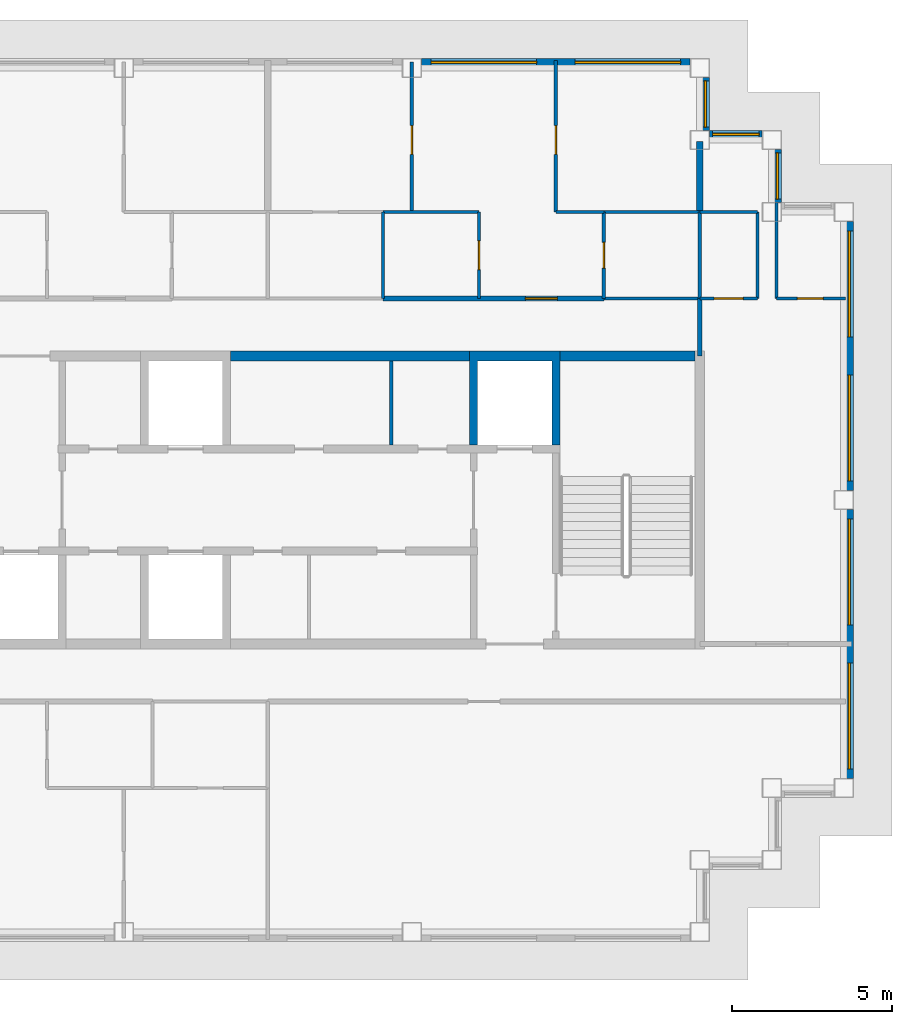
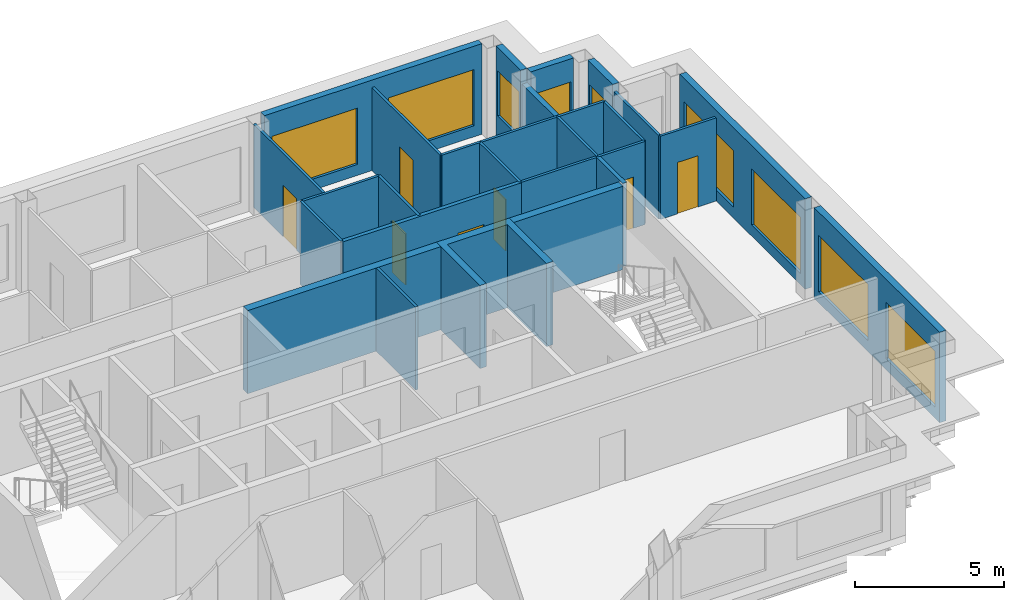
# One storey, part 6 of 12: 28 walls, 9 windows, 7 doors, 16 openings.
"""IFC4 building model written with IfcOpenShell, lengths in metres."""

from ifc_helpers import new_model, si_unit, direction, frame, frame_2d, origin, place, context, subcontext, project, spatial, polyline, rectangle, outline, extrude, material, layer, layer_set, type_object, element, fill, save


model = new_model("IFC4")

# Units and contexts
model_context = context("Model", 3, precision=1e-05, world=origin(), true_north=direction((0.0, 1.0)))
body_context = subcontext(model_context, "Body", "Model", "MODEL_VIEW")
ifc_project = project(units=[si_unit("LENGTHUNIT", "METRE"), si_unit("AREAUNIT", "SQUARE_METRE"), si_unit("VOLUMEUNIT", "CUBIC_METRE"), si_unit("PLANEANGLEUNIT", "RADIAN"), si_unit("MASSUNIT", "GRAM", prefix="KILO")], contexts=[model_context])

# Site, building, storey
site_placement = place(None, origin())
site = spatial("IfcSite", under=ifc_project, at=site_placement, CompositionType="ELEMENT")
building_placement = place(site_placement, origin())
building = spatial("IfcBuilding", under=site, at=building_placement, Name="Caravel Reach Hotel and Residences", CompositionType="ELEMENT")
storey_placement = place(building_placement, frame((0.0, 0.0, 241.60009765625)))
storey = spatial("IfcBuildingStorey", under=building, at=storey_placement, Name="L61", CompositionType="ELEMENT", Elevation=241.60009765625)

# Wall
ifc_material_1 = material(Name="Gypsum board on steel stud", Category="steel")
ifc_layer_1 = layer(ifc_material_1, 0.10009765625)
ifc_layer_set_1 = layer_set([ifc_layer_1], Name="Bathroom pod wall 100 mm")
wall_type_1 = type_object("IfcWallType", Name="Bathroom pod wall 100 mm", PredefinedType="PARTITIONING", material=ifc_layer_set_1)
wall_1_placement = place(storey_placement, frame((42.0, 33.300048828125, 0.0), z_axis=(0.0, 0.0, 1.0), x_axis=(1.0, 0.0, 0.0)))
element("IfcWall", 1, at=wall_1_placement, inside=storey, type_object=wall_type_1, Name="L61 wall w059", PredefinedType="PARTITIONING", context=body_context, shape_type="SweptSolid", body=[
    extrude(rectangle(XDim=3.0, YDim=0.10009765625, at=frame_2d((1.5, 0.0))), origin(), (0.0, 0.0, 1.0), 3.39990234375),
])

# Wall, opening, door
wall_2_placement = place(storey_placement, frame((47.39990234375, 33.300048828125, 0.0), z_axis=(0.0, 0.0, 1.0), x_axis=(1.0, 0.0, 0.0)))
wall_2 = element("IfcWall", 2, at=wall_2_placement, inside=storey, type_object=wall_type_1, Name="L61 wall w061", PredefinedType="PARTITIONING", context=body_context, shape_type="SweptSolid", body=[
    extrude(rectangle(XDim=2.150146484375, YDim=0.10009765625, at=frame_2d((1.0751953125, 0.0))), origin(), (0.0, 0.0, 1.0), 3.39990234375),
])
opening_1_placement = place(wall_2_placement, frame((0.64990234375, 0.0, 0.0)))
opening_1 = element("IfcOpeningElement", 3, at=opening_1_placement, cuts=wall_2, Name="Opening D61-042", PredefinedType="OPENING", context=body_context, shape_type="SweptSolid", body=[
    extrude(rectangle(XDim=0.800048828125, YDim=2.10009765625, at=frame_2d((0.39990234375, 1.050048828125))), frame((0.0, 0.06005859375, 0.0), z_axis=(0.0, -1.0, 0.0), x_axis=(1.0, 0.0, 0.0)), (0.0, 0.0, 1.0), 0.1201171875),
])
ifc_material_2 = material(Name="Timber and steel door leaf", Category="steel")
door_type_1 = type_object("IfcDoorType", Name="Bathroom door 800 x 2100", OperationType="SINGLE_SWING_LEFT", PredefinedType="DOOR", material=ifc_material_2)
door_1_placement = place(opening_1_placement, origin())
door_1 = element("IfcDoor", 4, at=door_1_placement, inside=storey, type_object=door_type_1, Name="door D61-042", OperationType="SINGLE_SWING_RIGHT", OverallHeight=2.10009765625, OverallWidth=0.800048828125, PredefinedType="DOOR", context=body_context, shape_type="SweptSolid", body=[
    extrude(rectangle(XDim=0.800048828125, YDim=2.10009765625, at=frame_2d((0.39990234375, 1.050048828125))), frame((0.0, 0.02490234375, 0.0), z_axis=(0.0, -1.0, 0.0), x_axis=(1.0, 0.0, 0.0)), (0.0, 0.0, 1.0), 0.050048828125),
])
fill(opening_1, door_1)

# Walls
wall_3_placement = place(storey_placement, frame((42.0, 36.0, 0.0), z_axis=(0.0, 0.0, 1.0), x_axis=(1.0, 0.0, 0.0)))
element("IfcWall", 5, at=wall_3_placement, inside=storey, type_object=wall_type_1, Name="L61 wall w064", PredefinedType="PARTITIONING", context=body_context, shape_type="SweptSolid", body=[
    extrude(rectangle(XDim=3.0, YDim=0.10009765625, at=frame_2d((1.5, 0.0))), origin(), (0.0, 0.0, 1.0), 3.39990234375),
])
wall_4_placement = place(storey_placement, frame((35.10009765625, 33.300048828125, 0.0), z_axis=(0.0, 0.0, 1.0), x_axis=(0.0, 1.0, 0.0)))
element("IfcWall", 6, at=wall_4_placement, inside=storey, type_object=wall_type_1, Name="L61 wall w074", PredefinedType="PARTITIONING", context=body_context, shape_type="SweptSolid", body=[
    extrude(rectangle(XDim=2.699951171875, YDim=0.10009765625, at=frame_2d((1.35009765625, 0.0))), origin(), (0.0, 0.0, 1.0), 3.39990234375),
])

# Wall, opening, door
wall_5_placement = place(storey_placement, frame((42.0, 33.300048828125, 0.0), z_axis=(0.0, 0.0, 1.0), x_axis=(0.0, 1.0, 0.0)))
wall_5 = element("IfcWall", 7, at=wall_5_placement, inside=storey, type_object=wall_type_1, Name="L61 wall w076", PredefinedType="PARTITIONING", context=body_context, shape_type="SweptSolid", body=[
    extrude(rectangle(XDim=2.699951171875, YDim=0.10009765625, at=frame_2d((1.35009765625, 0.0))), origin(), (0.0, 0.0, 1.0), 3.39990234375),
])
opening_2_placement = place(wall_5_placement, frame((0.949951171875, 0.0, 0.0)))
opening_2 = element("IfcOpeningElement", 8, at=opening_2_placement, cuts=wall_5, Name="Opening D61-026", PredefinedType="OPENING", context=body_context, shape_type="SweptSolid", body=[
    extrude(rectangle(XDim=0.800048828125, YDim=2.10009765625, at=frame_2d((0.39990234375, 1.050048828125))), frame((0.0, 0.06005859375, 0.0), z_axis=(0.0, -1.0, 0.0), x_axis=(1.0, 0.0, 0.0)), (0.0, 0.0, 1.0), 0.1201171875),
])
door_2_placement = place(opening_2_placement, origin())
door_2 = element("IfcDoor", 9, at=door_2_placement, inside=storey, type_object=door_type_1, Name="door D61-026", OperationType="SINGLE_SWING_LEFT", OverallHeight=2.10009765625, OverallWidth=0.800048828125, PredefinedType="DOOR", context=body_context, shape_type="SweptSolid", body=[
    extrude(rectangle(XDim=0.800048828125, YDim=2.10009765625, at=frame_2d((0.39990234375, 1.050048828125))), frame((0.0, 0.02490234375, 0.0), z_axis=(0.0, -1.0, 0.0), x_axis=(1.0, 0.0, 0.0)), (0.0, 0.0, 1.0), 0.050048828125),
])
fill(opening_2, door_2)

# Walls
wall_6_placement = place(storey_placement, frame((45.0, 33.300048828125, 0.0), z_axis=(0.0, 0.0, 1.0), x_axis=(0.0, 1.0, 0.0)))
element("IfcWall", 10, at=wall_6_placement, inside=storey, type_object=wall_type_1, Name="L61 wall w077", PredefinedType="PARTITIONING", context=body_context, shape_type="SweptSolid", body=[
    extrude(rectangle(XDim=2.699951171875, YDim=0.10009765625, at=frame_2d((1.35009765625, 0.0))), origin(), (0.0, 0.0, 1.0), 3.39990234375),
])
wall_7_placement = place(storey_placement, frame((47.39990234375, 33.300048828125, 0.0), z_axis=(0.0, 0.0, 1.0), x_axis=(0.0, 1.0, 0.0)))
element("IfcWall", 11, at=wall_7_placement, inside=storey, type_object=wall_type_1, Name="L61 wall w078", PredefinedType="PARTITIONING", context=body_context, shape_type="SweptSolid", body=[
    extrude(rectangle(XDim=3.0, YDim=0.10009765625, at=frame_2d((1.5, 0.0))), origin(), (0.0, 0.0, 1.0), 3.39990234375),
])
ifc_material_3 = material(Name="Concrete C60", Category="concrete")
ifc_layer_2 = layer(ifc_material_3, 0.300048828125)
ifc_layer_set_2 = layer_set([ifc_layer_2], Name="Core wall 300 mm EI 120")
wall_type_2 = type_object("IfcWallType", Name="Core wall 300 mm EI 120", PredefinedType="SHEAR", material=ifc_layer_set_2)
wall_8_placement = place(storey_placement, frame((30.33935546875, 31.5, 0.0), z_axis=(0.0, 0.0, 1.0), x_axis=(1.0, 0.0, 0.0)))
element("IfcWall", 12, at=wall_8_placement, inside=storey, type_object=wall_type_2, Name="L61 core wall N2", PredefinedType="SHEAR", context=body_context, shape_type="SweptSolid", body=[
    extrude(rectangle(XDim=7.464111328125, YDim=0.300048828125, at=frame_2d((3.73193359375, 0.0))), origin(), (0.0, 0.0, 1.0), 3.39990234375),
])
wall_9_placement = place(storey_placement, frame((40.625, 31.5, 0.0), z_axis=(0.0, 0.0, 1.0), x_axis=(1.0, 0.0, 0.0)))
element("IfcWall", 13, at=wall_9_placement, inside=storey, type_object=wall_type_2, Name="L61 core wall N3", PredefinedType="SHEAR", context=body_context, shape_type="SweptSolid", body=[
    extrude(rectangle(XDim=4.22509765625, YDim=0.300048828125, at=frame_2d((2.112548828125, 0.0))), origin(), (0.0, 0.0, 1.0), 3.39990234375),
])

# Wall, opening, door
ifc_material_4 = material(Name="Gypsum board on steel stud, fire-rated", Category="steel")
ifc_layer_3 = layer(ifc_material_4, 0.14990234375)
ifc_layer_set_3 = layer_set([ifc_layer_3], Name="Corridor wall 150 mm EI 60")
wall_type_3 = type_object("IfcWallType", Name="Corridor wall 150 mm EI 60", PredefinedType="PARTITIONING", material=ifc_layer_set_3)
wall_10_placement = place(storey_placement, frame((35.10009765625, 33.300048828125, 0.0), z_axis=(0.0, 0.0, 1.0), x_axis=(1.0, 0.0, 0.0)))
wall_10 = element("IfcWall", 14, at=wall_10_placement, inside=storey, type_object=wall_type_3, Name="L61 wall w013", PredefinedType="PARTITIONING", context=body_context, shape_type="SweptSolid", body=[
    extrude(rectangle(XDim=6.89990234375, YDim=0.14990234375, at=frame_2d((3.449951171875, 0.0))), origin(), (0.0, 0.0, 1.0), 3.39990234375),
])
opening_3_placement = place(wall_10_placement, frame((4.449951171875, 0.0, 0.0)))
opening_3 = element("IfcOpeningElement", 15, at=opening_3_placement, cuts=wall_10, Name="Opening D61-023", PredefinedType="OPENING", context=body_context, shape_type="SweptSolid", body=[
    extrude(rectangle(XDim=1.0, YDim=2.199951171875, at=frame_2d((0.5, 1.10009765625))), frame((0.0, 0.0849609375, 0.0), z_axis=(0.0, -1.0, 0.0), x_axis=(1.0, 0.0, 0.0)), (0.0, 0.0, 1.0), 0.169921875),
])
ifc_material_5 = material(Name="Steel fire door leaf", Category="steel")
door_type_2 = type_object("IfcDoorType", Name="Flat entrance door 1000 x 2200 EI 60", OperationType="SINGLE_SWING_LEFT", PredefinedType="DOOR", material=ifc_material_5)
door_3_placement = place(opening_3_placement, origin())
door_3 = element("IfcDoor", 16, at=door_3_placement, inside=storey, type_object=door_type_2, Name="door D61-023", OperationType="SINGLE_SWING_LEFT", OverallHeight=2.199951171875, OverallWidth=1.0, PredefinedType="DOOR", context=body_context, shape_type="SweptSolid", body=[
    extrude(rectangle(XDim=1.0, YDim=2.199951171875, at=frame_2d((0.5, 1.10009765625))), frame((0.0, 0.02490234375, 0.0), z_axis=(0.0, -1.0, 0.0), x_axis=(1.0, 0.0, 0.0)), (0.0, 0.0, 1.0), 0.050048828125),
])
fill(opening_3, door_3)

# Wall
wall_11_placement = place(storey_placement, frame((45.0, 31.5, 0.0), z_axis=(0.0, 0.0, 1.0), x_axis=(0.0, 1.0, 0.0)))
element("IfcWall", 17, at=wall_11_placement, inside=storey, type_object=wall_type_3, Name="L61 wall w018", PredefinedType="PARTITIONING", context=body_context, shape_type="SweptSolid", body=[
    extrude(rectangle(XDim=1.800048828125, YDim=0.14990234375, at=frame_2d((0.89990234375, 0.0))), origin(), (0.0, 0.0, 1.0), 3.39990234375),
])

# Wall, openings, windows
ifc_material_6 = material(Name="Insulated rainscreen wall, aluminium cladding", Category="aluminium")
ifc_layer_4 = layer(ifc_material_6, 0.25)
ifc_layer_set_4 = layer_set([ifc_layer_4], Name="EW1 Tower rainscreen wall")
wall_type_4 = type_object("IfcWallType", Name="EW1 Tower rainscreen wall", PredefinedType="SOLIDWALL", material=ifc_layer_set_4)
wall_12_placement = place(storey_placement, frame((49.675048828125, 18.300048828125, 0.0), z_axis=(0.0, 0.0, 1.0), x_axis=(0.0, 1.0, 0.0)))
wall_12 = element("IfcWall", 18, at=wall_12_placement, inside=storey, type_object=wall_type_4, Name="External wall L61 E9.1", PredefinedType="SOLIDWALL", context=body_context, shape_type="SweptSolid", body=[
    extrude(rectangle(XDim=8.39990234375, YDim=0.25, at=frame_2d((4.199951171875, 0.0))), origin(), (0.0, 0.0, 1.0), 3.699951171875),
])
opening_4_placement = place(wall_12_placement, frame((0.300048828125, 0.0, 0.449951171875)))
opening_4 = element("IfcOpeningElement", 19, at=opening_4_placement, cuts=wall_12, Name="Opening WN15", PredefinedType="OPENING", context=body_context, shape_type="SweptSolid", body=[
    extrude(rectangle(XDim=3.300048828125, YDim=2.300048828125, at=frame_2d((1.64990234375, 1.14990234375))), frame((0.0, 0.135009765625, 0.0), z_axis=(0.0, -1.0, 0.0), x_axis=(1.0, 0.0, 0.0)), (0.0, 0.0, 1.0), 0.27001953125),
])
opening_5_placement = place(wall_12_placement, frame((4.800048828125, 0.0, 0.449951171875)))
opening_5 = element("IfcOpeningElement", 20, at=opening_5_placement, cuts=wall_12, Name="Opening WN15", PredefinedType="OPENING", context=body_context, shape_type="SweptSolid", body=[
    extrude(rectangle(XDim=3.300048828125, YDim=2.300048828125, at=frame_2d((1.64990234375, 1.14990234375))), frame((0.0, 0.135009765625, 0.0), z_axis=(0.0, -1.0, 0.0), x_axis=(1.0, 0.0, 0.0)), (0.0, 0.0, 1.0), 0.27001953125),
])
ifc_material_7 = material(Name="Dark low-e glazing in black aluminium frame", Category="aluminium")
window_type_1 = type_object("IfcWindowType", Name="Residence living window 3300 x 2300", PartitioningType="SINGLE_PANEL", PredefinedType="WINDOW", material=ifc_material_7)
window_1_placement = place(opening_4_placement, origin())
window_1 = element("IfcWindow", 21, at=window_1_placement, inside=storey, type_object=window_type_1, Name="Window L61 E9.1.1", OverallHeight=2.300048828125, OverallWidth=3.300048828125, PartitioningType="SINGLE_PANEL", PredefinedType="WINDOW", context=body_context, shape_type="SweptSolid", body=[
    extrude(rectangle(XDim=3.300048828125, YDim=2.300048828125, at=frame_2d((1.64990234375, 1.14990234375))), frame((0.0, 0.030029296875, 0.0), z_axis=(0.0, -1.0, 0.0), x_axis=(1.0, 0.0, 0.0)), (0.0, 0.0, 1.0), 0.06005859375),
])
fill(opening_4, window_1)
window_2_placement = place(opening_5_placement, origin())
window_2 = element("IfcWindow", 22, at=window_2_placement, inside=storey, type_object=window_type_1, Name="Window L61 E9.1.2", OverallHeight=2.300048828125, OverallWidth=3.300048828125, PartitioningType="SINGLE_PANEL", PredefinedType="WINDOW", context=body_context, shape_type="SweptSolid", body=[
    extrude(rectangle(XDim=3.300048828125, YDim=2.300048828125, at=frame_2d((1.64990234375, 1.14990234375))), frame((0.0, 0.030029296875, 0.0), z_axis=(0.0, -1.0, 0.0), x_axis=(1.0, 0.0, 0.0)), (0.0, 0.0, 1.0), 0.06005859375),
])
fill(opening_5, window_2)

wall_13_placement = place(storey_placement, frame((49.675048828125, 27.300048828125, 0.0), z_axis=(0.0, 0.0, 1.0), x_axis=(0.0, 1.0, 0.0)))
wall_13 = element("IfcWall", 23, at=wall_13_placement, inside=storey, type_object=wall_type_4, Name="External wall L61 E9.2", PredefinedType="SOLIDWALL", context=body_context, shape_type="SweptSolid", body=[
    extrude(rectangle(XDim=8.39990234375, YDim=0.25, at=frame_2d((4.199951171875, 0.0))), origin(), (0.0, 0.0, 1.0), 3.699951171875),
])
opening_6_placement = place(wall_13_placement, frame((0.300048828125, 0.0, 0.449951171875)))
opening_6 = element("IfcOpeningElement", 24, at=opening_6_placement, cuts=wall_13, Name="Opening WN15", PredefinedType="OPENING", context=body_context, shape_type="SweptSolid", body=[
    extrude(rectangle(XDim=3.300048828125, YDim=2.300048828125, at=frame_2d((1.64990234375, 1.14990234375))), frame((0.0, 0.135009765625, 0.0), z_axis=(0.0, -1.0, 0.0), x_axis=(1.0, 0.0, 0.0)), (0.0, 0.0, 1.0), 0.27001953125),
])
opening_7_placement = place(wall_13_placement, frame((4.800048828125, 0.0, 0.449951171875)))
opening_7 = element("IfcOpeningElement", 25, at=opening_7_placement, cuts=wall_13, Name="Opening WN15", PredefinedType="OPENING", context=body_context, shape_type="SweptSolid", body=[
    extrude(rectangle(XDim=3.300048828125, YDim=2.300048828125, at=frame_2d((1.64990234375, 1.14990234375))), frame((0.0, 0.135009765625, 0.0), z_axis=(0.0, -1.0, 0.0), x_axis=(1.0, 0.0, 0.0)), (0.0, 0.0, 1.0), 0.27001953125),
])
window_3_placement = place(opening_6_placement, origin())
window_3 = element("IfcWindow", 26, at=window_3_placement, inside=storey, type_object=window_type_1, Name="Window L61 E9.2.1", OverallHeight=2.300048828125, OverallWidth=3.300048828125, PartitioningType="SINGLE_PANEL", PredefinedType="WINDOW", context=body_context, shape_type="SweptSolid", body=[
    extrude(rectangle(XDim=3.300048828125, YDim=2.300048828125, at=frame_2d((1.64990234375, 1.14990234375))), frame((0.0, 0.030029296875, 0.0), z_axis=(0.0, -1.0, 0.0), x_axis=(1.0, 0.0, 0.0)), (0.0, 0.0, 1.0), 0.06005859375),
])
fill(opening_6, window_3)
window_4_placement = place(opening_7_placement, origin())
window_4 = element("IfcWindow", 27, at=window_4_placement, inside=storey, type_object=window_type_1, Name="Window L61 E9.2.2", OverallHeight=2.300048828125, OverallWidth=3.300048828125, PartitioningType="SINGLE_PANEL", PredefinedType="WINDOW", context=body_context, shape_type="SweptSolid", body=[
    extrude(rectangle(XDim=3.300048828125, YDim=2.300048828125, at=frame_2d((1.64990234375, 1.14990234375))), frame((0.0, 0.030029296875, 0.0), z_axis=(0.0, -1.0, 0.0), x_axis=(1.0, 0.0, 0.0)), (0.0, 0.0, 1.0), 0.06005859375),
])
fill(opening_7, window_4)

# Wall, opening, window
wall_14_placement = place(storey_placement, frame((47.425048828125, 36.300048828125, 0.0), z_axis=(0.0, 0.0, 1.0), x_axis=(0.0, 1.0, 0.0)))
wall_14 = element("IfcWall", 28, at=wall_14_placement, inside=storey, type_object=wall_type_4, Name="External wall L61 E11.1", PredefinedType="SOLIDWALL", context=body_context, shape_type="SweptSolid", body=[
    extrude(rectangle(XDim=1.64990234375, YDim=0.25, at=frame_2d((0.824951171875, 0.0))), origin(), (0.0, 0.0, 1.0), 3.699951171875),
])
opening_8_placement = place(wall_14_placement, frame((0.10009765625, 0.0, 0.89990234375)))
opening_8 = element("IfcOpeningElement", 29, at=opening_8_placement, cuts=wall_14, Name="Opening WN25", PredefinedType="OPENING", context=body_context, shape_type="SweptSolid", body=[
    extrude(rectangle(XDim=1.449951171875, YDim=1.85009765625, at=frame_2d((0.72509765625, 0.925048828125))), frame((0.0, 0.135009765625, 0.0), z_axis=(0.0, -1.0, 0.0), x_axis=(1.0, 0.0, 0.0)), (0.0, 0.0, 1.0), 0.27001953125),
])
ifc_material_8 = material(Name="Dark low-e glazing in black aluminium frame", Category="aluminium")
window_type_2 = type_object("IfcWindowType", Name="Residence bedroom window 1450 x 1850", PartitioningType="SINGLE_PANEL", PredefinedType="WINDOW", material=ifc_material_8)
window_5_placement = place(opening_8_placement, origin())
window_5 = element("IfcWindow", 30, at=window_5_placement, inside=storey, type_object=window_type_2, Name="Window L61 E11.1.1", OverallHeight=1.85009765625, OverallWidth=1.449951171875, PartitioningType="SINGLE_PANEL", PredefinedType="WINDOW", context=body_context, shape_type="SweptSolid", body=[
    extrude(rectangle(XDim=1.449951171875, YDim=1.85009765625, at=frame_2d((0.72509765625, 0.925048828125))), frame((0.0, 0.030029296875, 0.0), z_axis=(0.0, -1.0, 0.0), x_axis=(1.0, 0.0, 0.0)), (0.0, 0.0, 1.0), 0.06005859375),
])
fill(opening_8, window_5)

wall_15_placement = place(storey_placement, frame((46.949951171875, 38.425048828125, 0.0), z_axis=(0.0, 0.0, 1.0), x_axis=(-1.0, 0.0, 0.0)))
wall_15 = element("IfcWall", 31, at=wall_15_placement, inside=storey, type_object=wall_type_4, Name="External wall L61 N12.1", PredefinedType="SOLIDWALL", context=body_context, shape_type="SweptSolid", body=[
    extrude(rectangle(XDim=1.64990234375, YDim=0.25, at=frame_2d((0.824951171875, 0.0))), origin(), (0.0, 0.0, 1.0), 3.699951171875),
])
opening_9_placement = place(wall_15_placement, frame((0.10009765625, 0.0, 0.89990234375)))
opening_9 = element("IfcOpeningElement", 32, at=opening_9_placement, cuts=wall_15, Name="Opening WN25", PredefinedType="OPENING", context=body_context, shape_type="SweptSolid", body=[
    extrude(rectangle(XDim=1.449951171875, YDim=1.85009765625, at=frame_2d((0.72509765625, 0.925048828125))), frame((0.0, 0.135009765625, 0.0), z_axis=(0.0, -1.0, 0.0), x_axis=(1.0, 0.0, 0.0)), (0.0, 0.0, 1.0), 0.27001953125),
])
window_6_placement = place(opening_9_placement, origin())
window_6 = element("IfcWindow", 33, at=window_6_placement, inside=storey, type_object=window_type_2, Name="Window L61 N12.1.1", OverallHeight=1.85009765625, OverallWidth=1.449951171875, PartitioningType="SINGLE_PANEL", PredefinedType="WINDOW", context=body_context, shape_type="SweptSolid", body=[
    extrude(rectangle(XDim=1.449951171875, YDim=1.85009765625, at=frame_2d((0.72509765625, 0.925048828125))), frame((0.0, 0.030029296875, 0.0), z_axis=(0.0, -1.0, 0.0), x_axis=(1.0, 0.0, 0.0)), (0.0, 0.0, 1.0), 0.06005859375),
])
fill(opening_9, window_6)

wall_16_placement = place(storey_placement, frame((45.175048828125, 38.550048828125, 0.0), z_axis=(0.0, 0.0, 1.0), x_axis=(0.0, 1.0, 0.0)))
wall_16 = element("IfcWall", 34, at=wall_16_placement, inside=storey, type_object=wall_type_4, Name="External wall L61 E13.1", PredefinedType="SOLIDWALL", context=body_context, shape_type="SweptSolid", body=[
    extrude(rectangle(XDim=1.64990234375, YDim=0.25, at=frame_2d((0.824951171875, 0.0))), origin(), (0.0, 0.0, 1.0), 3.699951171875),
])
opening_10_placement = place(wall_16_placement, frame((0.10009765625, 0.0, 0.89990234375)))
opening_10 = element("IfcOpeningElement", 35, at=opening_10_placement, cuts=wall_16, Name="Opening WN25", PredefinedType="OPENING", context=body_context, shape_type="SweptSolid", body=[
    extrude(rectangle(XDim=1.449951171875, YDim=1.85009765625, at=frame_2d((0.72509765625, 0.925048828125))), frame((0.0, 0.135009765625, 0.0), z_axis=(0.0, -1.0, 0.0), x_axis=(1.0, 0.0, 0.0)), (0.0, 0.0, 1.0), 0.27001953125),
])
window_7_placement = place(opening_10_placement, origin())
window_7 = element("IfcWindow", 36, at=window_7_placement, inside=storey, type_object=window_type_2, Name="Window L61 E13.1.1", OverallHeight=1.85009765625, OverallWidth=1.449951171875, PartitioningType="SINGLE_PANEL", PredefinedType="WINDOW", context=body_context, shape_type="SweptSolid", body=[
    extrude(rectangle(XDim=1.449951171875, YDim=1.85009765625, at=frame_2d((0.72509765625, 0.925048828125))), frame((0.0, 0.030029296875, 0.0), z_axis=(0.0, -1.0, 0.0), x_axis=(1.0, 0.0, 0.0)), (0.0, 0.0, 1.0), 0.06005859375),
])
fill(opening_10, window_7)

# Wall, openings, windows
wall_17_placement = place(storey_placement, frame((44.699951171875, 40.675048828125, 0.0), z_axis=(0.0, 0.0, 1.0), x_axis=(-1.0, 0.0, 0.0)))
wall_17 = element("IfcWall", 37, at=wall_17_placement, inside=storey, type_object=wall_type_4, Name="External wall L61 N14.1", PredefinedType="SOLIDWALL", context=body_context, shape_type="SweptSolid", body=[
    extrude(rectangle(XDim=8.39990234375, YDim=0.25, at=frame_2d((4.199951171875, 0.0))), origin(), (0.0, 0.0, 1.0), 3.699951171875),
])
opening_11_placement = place(wall_17_placement, frame((0.300048828125, 0.0, 0.449951171875)))
opening_11 = element("IfcOpeningElement", 38, at=opening_11_placement, cuts=wall_17, Name="Opening WN15", PredefinedType="OPENING", context=body_context, shape_type="SweptSolid", body=[
    extrude(rectangle(XDim=3.300048828125, YDim=2.300048828125, at=frame_2d((1.64990234375, 1.14990234375))), frame((0.0, 0.135009765625, 0.0), z_axis=(0.0, -1.0, 0.0), x_axis=(1.0, 0.0, 0.0)), (0.0, 0.0, 1.0), 0.27001953125),
])
opening_12_placement = place(wall_17_placement, frame((4.800048828125, 0.0, 0.449951171875)))
opening_12 = element("IfcOpeningElement", 39, at=opening_12_placement, cuts=wall_17, Name="Opening WN15", PredefinedType="OPENING", context=body_context, shape_type="SweptSolid", body=[
    extrude(rectangle(XDim=3.300048828125, YDim=2.300048828125, at=frame_2d((1.64990234375, 1.14990234375))), frame((0.0, 0.135009765625, 0.0), z_axis=(0.0, -1.0, 0.0), x_axis=(1.0, 0.0, 0.0)), (0.0, 0.0, 1.0), 0.27001953125),
])
window_8_placement = place(opening_11_placement, origin())
window_8 = element("IfcWindow", 40, at=window_8_placement, inside=storey, type_object=window_type_1, Name="Window L61 N14.1.1", OverallHeight=2.300048828125, OverallWidth=3.300048828125, PartitioningType="SINGLE_PANEL", PredefinedType="WINDOW", context=body_context, shape_type="SweptSolid", body=[
    extrude(rectangle(XDim=3.300048828125, YDim=2.300048828125, at=frame_2d((1.64990234375, 1.14990234375))), frame((0.0, 0.030029296875, 0.0), z_axis=(0.0, -1.0, 0.0), x_axis=(1.0, 0.0, 0.0)), (0.0, 0.0, 1.0), 0.06005859375),
])
fill(opening_11, window_8)
window_9_placement = place(opening_12_placement, origin())
window_9 = element("IfcWindow", 41, at=window_9_placement, inside=storey, type_object=window_type_1, Name="Window L61 N14.1.2", OverallHeight=2.300048828125, OverallWidth=3.300048828125, PartitioningType="SINGLE_PANEL", PredefinedType="WINDOW", context=body_context, shape_type="SweptSolid", body=[
    extrude(rectangle(XDim=3.300048828125, YDim=2.300048828125, at=frame_2d((1.64990234375, 1.14990234375))), frame((0.0, 0.030029296875, 0.0), z_axis=(0.0, -1.0, 0.0), x_axis=(1.0, 0.0, 0.0)), (0.0, 0.0, 1.0), 0.06005859375),
])
fill(opening_12, window_9)

# Wall
ifc_material_9 = material(Name="Gypsum board on steel stud", Category="steel")
ifc_layer_5 = layer(ifc_material_9, 0.10009765625)
ifc_layer_set_5 = layer_set([ifc_layer_5], Name="Partition 100 mm")
wall_type_5 = type_object("IfcWallType", Name="Partition 100 mm", PredefinedType="PARTITIONING", material=ifc_layer_set_5)
wall_18_placement = place(storey_placement, frame((35.357177734375, 28.72509765625, 0.0), z_axis=(0.0, 0.0, 1.0), x_axis=(0.0, 1.0, 0.0)))
element("IfcWall", 42, at=wall_18_placement, inside=storey, type_object=wall_type_5, Name="L61 store partition", PredefinedType="PARTITIONING", context=body_context, shape_type="SweptSolid", body=[
    extrude(rectangle(XDim=2.625, YDim=0.10009765625, at=frame_2d((1.3125, 0.0))), origin(), (0.0, 0.0, 1.0), 3.39990234375),
])

# Wall, opening, door
wall_19_placement = place(storey_placement, frame((45.0, 33.300048828125, 0.0), z_axis=(0.0, 0.0, 1.0), x_axis=(1.0, 0.0, 0.0)))
wall_19 = element("IfcWall", 43, at=wall_19_placement, inside=storey, type_object=wall_type_5, Name="L61 wall w024", PredefinedType="PARTITIONING", context=body_context, shape_type="SweptSolid", body=[
    extrude(rectangle(XDim=1.800048828125, YDim=0.10009765625, at=frame_2d((0.89990234375, 0.0))), origin(), (0.0, 0.0, 1.0), 3.39990234375),
])
opening_13_placement = place(wall_19_placement, frame((0.449951171875, 0.0, 0.0)))
opening_13 = element("IfcOpeningElement", 44, at=opening_13_placement, cuts=wall_19, Name="Opening D61-043", PredefinedType="OPENING", context=body_context, shape_type="SweptSolid", body=[
    extrude(rectangle(XDim=0.89990234375, YDim=2.10009765625, at=frame_2d((0.449951171875, 1.050048828125))), frame((0.0, 0.06005859375, 0.0), z_axis=(0.0, -1.0, 0.0), x_axis=(1.0, 0.0, 0.0)), (0.0, 0.0, 1.0), 0.1201171875),
])
ifc_material_10 = material(Name="Timber and steel door leaf", Category="steel")
door_type_3 = type_object("IfcDoorType", Name="Door 900 x 2100 timber", OperationType="SINGLE_SWING_LEFT", PredefinedType="DOOR", material=ifc_material_10)
door_4_placement = place(opening_13_placement, origin())
door_4 = element("IfcDoor", 45, at=door_4_placement, inside=storey, type_object=door_type_3, Name="door D61-043", OperationType="SINGLE_SWING_LEFT", OverallHeight=2.10009765625, OverallWidth=0.89990234375, PredefinedType="DOOR", context=body_context, shape_type="SweptSolid", body=[
    extrude(rectangle(XDim=0.89990234375, YDim=2.10009765625, at=frame_2d((0.449951171875, 1.050048828125))), frame((0.0, 0.02490234375, 0.0), z_axis=(0.0, -1.0, 0.0), x_axis=(1.0, 0.0, 0.0)), (0.0, 0.0, 1.0), 0.050048828125),
])
fill(opening_13, door_4)

# Walls
wall_20_placement = place(storey_placement, frame((40.5, 36.0, 0.0), z_axis=(0.0, 0.0, 1.0), x_axis=(1.0, 0.0, 0.0)))
element("IfcWall", 46, at=wall_20_placement, inside=storey, type_object=wall_type_5, Name="L61 wall w028", PredefinedType="PARTITIONING", context=body_context, shape_type="SweptSolid", body=[
    extrude(rectangle(XDim=1.5, YDim=0.10009765625, at=frame_2d((0.75, 0.0))), origin(), (0.0, 0.0, 1.0), 3.39990234375),
])
wall_21_placement = place(storey_placement, frame((35.10009765625, 36.0, 0.0), z_axis=(0.0, 0.0, 1.0), x_axis=(1.0, 0.0, 0.0)))
element("IfcWall", 47, at=wall_21_placement, inside=storey, type_object=wall_type_5, Name="L61 wall w029", PredefinedType="PARTITIONING", context=body_context, shape_type="SweptSolid", body=[
    extrude(rectangle(XDim=3.0, YDim=0.10009765625, at=frame_2d((1.5, 0.0))), origin(), (0.0, 0.0, 1.0), 3.39990234375),
])
wall_22_placement = place(storey_placement, frame((45.0, 36.0, 0.0), z_axis=(0.0, 0.0, 1.0), x_axis=(1.0, 0.0, 0.0)))
element("IfcWall", 48, at=wall_22_placement, inside=storey, type_object=wall_type_5, Name="L61 wall w031", PredefinedType="PARTITIONING", context=body_context, shape_type="SweptSolid", body=[
    extrude(rectangle(XDim=1.800048828125, YDim=0.10009765625, at=frame_2d((0.89990234375, 0.0))), origin(), (0.0, 0.0, 1.0), 3.39990234375),
])

# Wall, opening, door
wall_23_placement = place(storey_placement, frame((36.0, 36.0, 0.0), z_axis=(0.0, 0.0, 1.0), x_axis=(0.0, 1.0, 0.0)))
wall_23 = element("IfcWall", 49, at=wall_23_placement, inside=storey, type_object=wall_type_5, Name="L61 wall w042", PredefinedType="PARTITIONING", context=body_context, shape_type="SweptSolid", body=[
    extrude(rectangle(XDim=4.68994140625, YDim=0.10009765625, at=frame_2d((2.344970703125, 0.0))), origin(), (0.0, 0.0, 1.0), 3.39990234375),
])
opening_14_placement = place(wall_23_placement, frame((1.800048828125, 0.0, 0.0)))
opening_14 = element("IfcOpeningElement", 50, at=opening_14_placement, cuts=wall_23, Name="Opening D61-027", PredefinedType="OPENING", context=body_context, shape_type="SweptSolid", body=[
    extrude(rectangle(XDim=0.89990234375, YDim=2.10009765625, at=frame_2d((0.449951171875, 1.050048828125))), frame((0.0, 0.06005859375, 0.0), z_axis=(0.0, -1.0, 0.0), x_axis=(1.0, 0.0, 0.0)), (0.0, 0.0, 1.0), 0.1201171875),
])
door_5_placement = place(opening_14_placement, origin())
door_5 = element("IfcDoor", 51, at=door_5_placement, inside=storey, type_object=door_type_3, Name="door D61-027", OperationType="SINGLE_SWING_RIGHT", OverallHeight=2.10009765625, OverallWidth=0.89990234375, PredefinedType="DOOR", context=body_context, shape_type="SweptSolid", body=[
    extrude(rectangle(XDim=0.89990234375, YDim=2.10009765625, at=frame_2d((0.449951171875, 1.050048828125))), frame((0.0, 0.02490234375, 0.0), z_axis=(0.0, -1.0, 0.0), x_axis=(1.0, 0.0, 0.0)), (0.0, 0.0, 1.0), 0.050048828125),
])
fill(opening_14, door_5)

wall_24_placement = place(storey_placement, frame((38.10009765625, 33.300048828125, 0.0), z_axis=(0.0, 0.0, 1.0), x_axis=(0.0, 1.0, 0.0)))
wall_24 = element("IfcWall", 52, at=wall_24_placement, inside=storey, type_object=wall_type_5, Name="L61 wall w043", PredefinedType="PARTITIONING", context=body_context, shape_type="SweptSolid", body=[
    extrude(rectangle(XDim=2.699951171875, YDim=0.10009765625, at=frame_2d((1.35009765625, 0.0))), origin(), (0.0, 0.0, 1.0), 3.39990234375),
])
opening_15_placement = place(wall_24_placement, frame((0.89990234375, 0.0, 0.0)))
opening_15 = element("IfcOpeningElement", 53, at=opening_15_placement, cuts=wall_24, Name="Opening D61-025", PredefinedType="OPENING", context=body_context, shape_type="SweptSolid", body=[
    extrude(rectangle(XDim=0.89990234375, YDim=2.10009765625, at=frame_2d((0.449951171875, 1.050048828125))), frame((0.0, 0.06005859375, 0.0), z_axis=(0.0, -1.0, 0.0), x_axis=(1.0, 0.0, 0.0)), (0.0, 0.0, 1.0), 0.1201171875),
])
door_6_placement = place(opening_15_placement, origin())
door_6 = element("IfcDoor", 54, at=door_6_placement, inside=storey, type_object=door_type_3, Name="door D61-025", OperationType="SINGLE_SWING_RIGHT", OverallHeight=2.10009765625, OverallWidth=0.89990234375, PredefinedType="DOOR", context=body_context, shape_type="SweptSolid", body=[
    extrude(rectangle(XDim=0.89990234375, YDim=2.10009765625, at=frame_2d((0.449951171875, 1.050048828125))), frame((0.0, 0.02490234375, 0.0), z_axis=(0.0, -1.0, 0.0), x_axis=(1.0, 0.0, 0.0)), (0.0, 0.0, 1.0), 0.050048828125),
])
fill(opening_15, door_6)

wall_25_placement = place(storey_placement, frame((40.5, 36.0, 0.0), z_axis=(0.0, 0.0, 1.0), x_axis=(0.0, 1.0, 0.0)))
wall_25 = element("IfcWall", 55, at=wall_25_placement, inside=storey, type_object=wall_type_5, Name="L61 wall w046", PredefinedType="PARTITIONING", context=body_context, shape_type="SweptSolid", body=[
    extrude(rectangle(XDim=4.739990234375, YDim=0.10009765625, at=frame_2d((2.3701171875, 0.0))), origin(), (0.0, 0.0, 1.0), 3.39990234375),
])
opening_16_placement = place(wall_25_placement, frame((1.800048828125, 0.0, 0.0)))
opening_16 = element("IfcOpeningElement", 56, at=opening_16_placement, cuts=wall_25, Name="Opening D61-028", PredefinedType="OPENING", context=body_context, shape_type="SweptSolid", body=[
    extrude(rectangle(XDim=0.89990234375, YDim=2.10009765625, at=frame_2d((0.449951171875, 1.050048828125))), frame((0.0, 0.06005859375, 0.0), z_axis=(0.0, -1.0, 0.0), x_axis=(1.0, 0.0, 0.0)), (0.0, 0.0, 1.0), 0.1201171875),
])
door_7_placement = place(opening_16_placement, origin())
door_7 = element("IfcDoor", 57, at=door_7_placement, inside=storey, type_object=door_type_3, Name="door D61-028", OperationType="SINGLE_SWING_RIGHT", OverallHeight=2.10009765625, OverallWidth=0.89990234375, PredefinedType="DOOR", context=body_context, shape_type="SweptSolid", body=[
    extrude(rectangle(XDim=0.89990234375, YDim=2.10009765625, at=frame_2d((0.449951171875, 1.050048828125))), frame((0.0, 0.02490234375, 0.0), z_axis=(0.0, -1.0, 0.0), x_axis=(1.0, 0.0, 0.0)), (0.0, 0.0, 1.0), 0.050048828125),
])
fill(opening_16, door_7)

# Walls
wall_26_placement = place(storey_placement, frame((46.800048828125, 33.300048828125, 0.0), z_axis=(0.0, 0.0, 1.0), x_axis=(0.0, 1.0, 0.0)))
element("IfcWall", 58, at=wall_26_placement, inside=storey, type_object=wall_type_5, Name="L61 wall w047", PredefinedType="PARTITIONING", context=body_context, shape_type="SweptSolid", body=[
    extrude(rectangle(XDim=2.699951171875, YDim=0.10009765625, at=frame_2d((1.35009765625, 0.0))), origin(), (0.0, 0.0, 1.0), 3.39990234375),
])
ifc_material_11 = material(Name="Autoclaved aerated block wall")
ifc_layer_6 = layer(ifc_material_11, 0.199951171875)
ifc_layer_set_6 = layer_set([ifc_layer_6], Name="Party wall 200 mm EI 60")
wall_type_6 = type_object("IfcWallType", Name="Party wall 200 mm EI 60", PredefinedType="PARTITIONING", material=ifc_layer_set_6)
wall_27_placement = place(storey_placement, frame((45.0, 36.0, 0.0), z_axis=(0.0, 0.0, 1.0), x_axis=(0.0, 1.0, 0.0)))
element("IfcWall", 59, at=wall_27_placement, inside=storey, type_object=wall_type_6, Name="L61 wall w050", PredefinedType="PARTITIONING", context=body_context, shape_type="SweptSolid", body=[
    extrude(rectangle(XDim=2.199951171875, YDim=0.199951171875, at=frame_2d((1.10009765625, 0.0))), origin(), (0.0, 0.0, 1.0), 3.39990234375),
])
ifc_material_12 = material(Name="Concrete C60", Category="concrete")
ifc_layer_7 = layer(ifc_material_12, 0.25)
ifc_layer_set_7 = layer_set([ifc_layer_7], Name="Shaft wall 250 mm EI 120")
wall_type_7 = type_object("IfcWallType", Name="Shaft wall 250 mm EI 120", PredefinedType="SHEAR", material=ifc_layer_set_7)
wall_28_placement = place(storey_placement, origin())
element("IfcWall", 60, at=wall_28_placement, inside=storey, type_object=wall_type_7, Name="L61 lift shaft wall N2", PredefinedType="SHEAR", context=body_context, shape_type="SweptSolid", body=[
    extrude(outline(polyline([(37.803466796875, 28.72509765625), (38.053466796875, 28.72509765625), (38.053466796875, 31.35009765625), (40.375, 31.35009765625), (40.375, 28.72509765625), (40.625, 28.72509765625), (40.625, 31.64990234375), (37.803466796875, 31.64990234375), (37.803466796875, 28.72509765625)])), origin(), (0.0, 0.0, 1.0), 3.39990234375),
])

save(model, "model.ifc")
